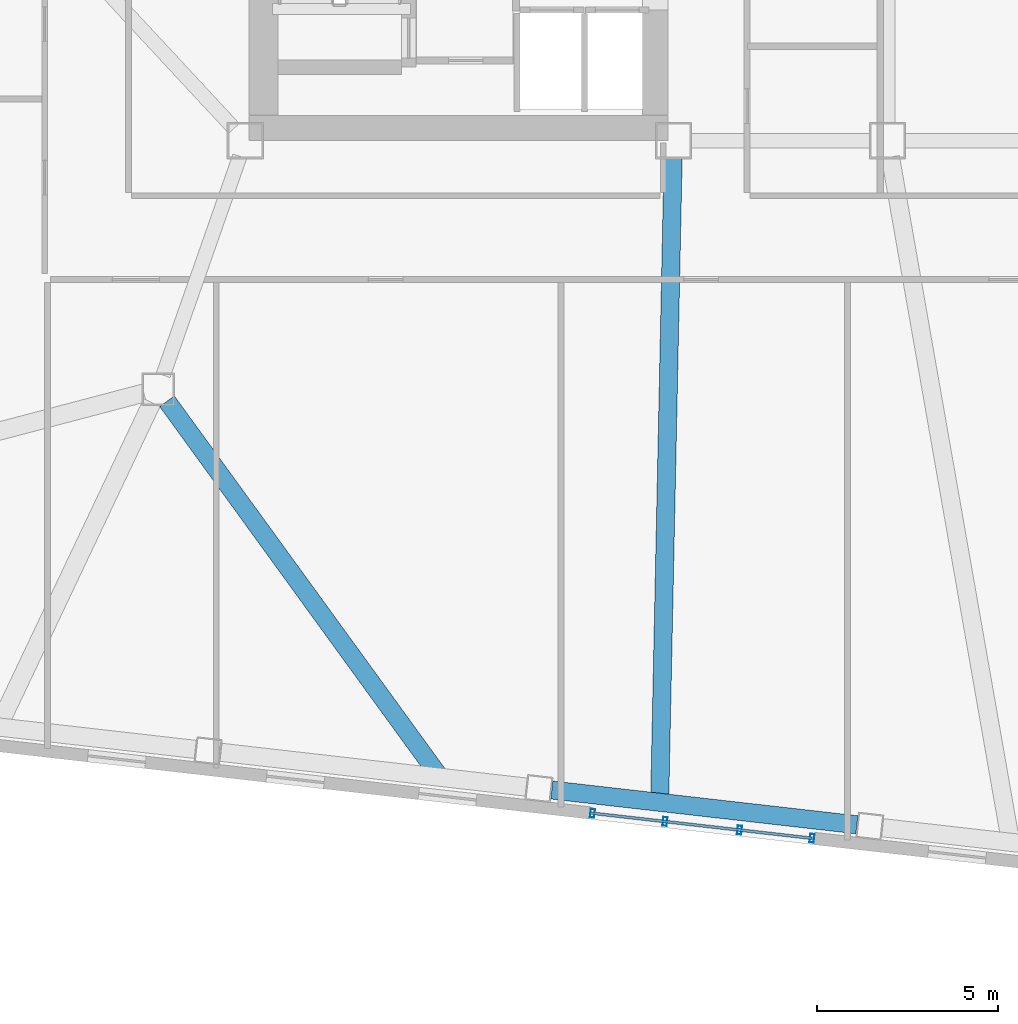
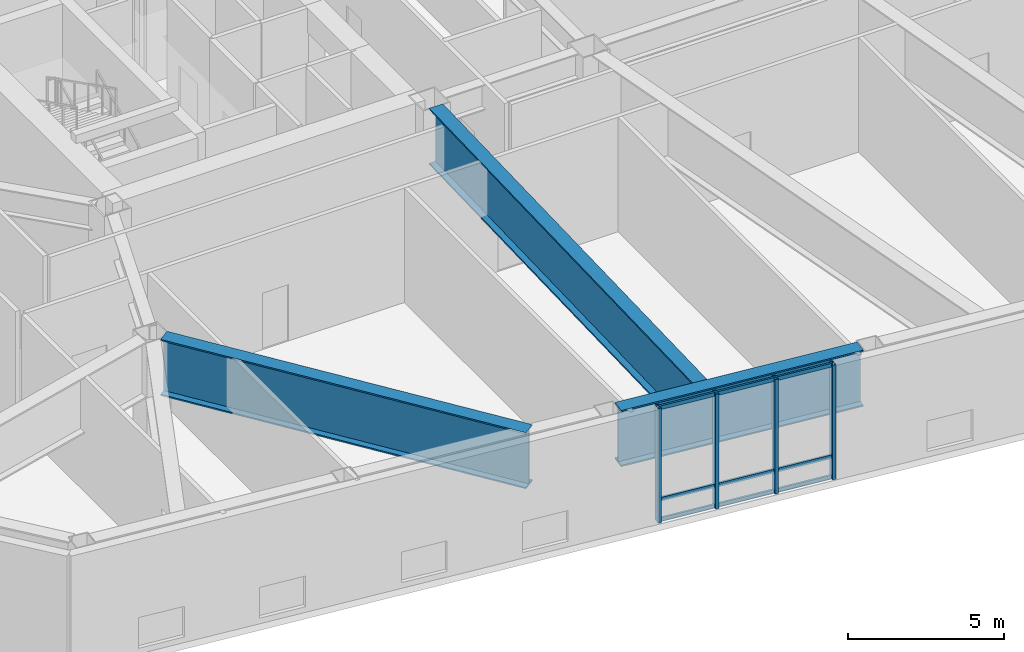
# One storey, part 2 of 19: 7 members, 3 beams, 1 element without a shape of its own.
"""IFC4 building model written with IfcOpenShell, lengths in metres."""

from ifc_helpers import new_model, si_unit, direction, frame, origin, origin_2d, place, context, subcontext, project, spatial, hollow_rectangle, i_section, extrude, material, layer, layer_set, material_profile, profile_set, type_object, element, aggregate, save


model = new_model("IFC4")

# Units and contexts
model_context = context("Model", 3, precision=1e-05, world=origin(), true_north=direction((0.0, 1.0)))
body_context = subcontext(model_context, "Body", "Model", "MODEL_VIEW")
ifc_project = project(units=[si_unit("LENGTHUNIT", "METRE"), si_unit("AREAUNIT", "SQUARE_METRE"), si_unit("VOLUMEUNIT", "CUBIC_METRE"), si_unit("PLANEANGLEUNIT", "RADIAN"), si_unit("MASSUNIT", "GRAM", prefix="KILO")], contexts=[model_context])

# Site, building, storey
site_placement = place(None, origin())
site = spatial("IfcSite", under=ifc_project, at=site_placement, CompositionType="ELEMENT")
building_placement = place(site_placement, origin())
building = spatial("IfcBuilding", under=site, at=building_placement, Name="Tavrogorsk Clinical Tower", CompositionType="ELEMENT")
storey_placement = place(building_placement, frame((0.0, 0.0, 141.39990234375)))
storey = spatial("IfcBuildingStorey", under=building, at=storey_placement, Name="L32", CompositionType="ELEMENT", Elevation=141.39990234375)

# Curtain wall, members
ifc_material_1 = material(Name="Anodised aluminium and triple IGU glazing", Category="aluminium")
ifc_layer = layer(ifc_material_1, 0.179931640625)
ifc_layer_set = layer_set([ifc_layer], Name="Anodised aluminium and triple IGU glazing")
curtain_wall_type = type_object("IfcCurtainWallType", Name="CW5_SkyLobby", PredefinedType="NOTDEFINED", material=ifc_layer_set)
curtain_wall_placement = place(storey_placement, origin())
curtain_wall = element("IfcCurtainWall", 1, at=curtain_wall_placement, inside=storey, type_object=curtain_wall_type, Name="L32 Curtain Wall CW-L32-S-CW5-1", PredefinedType="NOTDEFINED")
ifc_material_2 = material(Name="Anodised aluminium alloy AW-6060", Category="aluminium")
ifc_material_profile_1 = material_profile(ifc_material_2, hollow_rectangle(XDim=0.1201171875, YDim=0.239990234375, WallThickness=0.008056640625, at=origin_2d()), Name="RHS-240x120x8")
ifc_profile_set_1 = profile_set([ifc_material_profile_1], Name="Anodised aluminium alloy AW-6060")
member_type_1 = type_object("IfcMemberType", Name="CwMullion_240x120", PredefinedType="MULLION", material=ifc_profile_set_1)
member_1_placement = place(storey_placement, frame((-12.53076171875, -24.88818359375, 0.0), z_axis=(0.0, 0.0, 1.0), x_axis=(0.993571847378, -0.113203286601, 0.0)))
member_1 = element("IfcMember", 2, at=member_1_placement, type_object=member_type_1, Name="CW-L32-S-CW5-1 Mullion 1", PredefinedType="MULLION", context=body_context, shape_type="SweptSolid", body=[
    extrude(hollow_rectangle(XDim=0.1201171875, YDim=0.239990234375, WallThickness=0.008056640625, at=origin_2d()), origin(), (0.0, 0.0, 1.0), 4.47998046875),
])
member_2_placement = place(storey_placement, frame((-10.534423828125, -25.11572265625, 0.0), z_axis=(0.0, 0.0, 1.0), x_axis=(0.993571847378, -0.113203286601, 0.0)))
member_2 = element("IfcMember", 3, at=member_2_placement, type_object=member_type_1, Name="CW-L32-S-CW5-1 Mullion 2", PredefinedType="MULLION", context=body_context, shape_type="SweptSolid", body=[
    extrude(hollow_rectangle(XDim=0.1201171875, YDim=0.239990234375, WallThickness=0.008056640625, at=origin_2d()), origin(), (0.0, 0.0, 1.0), 4.47998046875),
])
member_3_placement = place(storey_placement, frame((-8.478271484375, -25.349853515625, 0.0), z_axis=(0.0, 0.0, 1.0), x_axis=(0.993571847378, -0.113203286601, 0.0)))
member_3 = element("IfcMember", 4, at=member_3_placement, type_object=member_type_1, Name="CW-L32-S-CW5-1 Mullion 3", PredefinedType="MULLION", context=body_context, shape_type="SweptSolid", body=[
    extrude(hollow_rectangle(XDim=0.1201171875, YDim=0.239990234375, WallThickness=0.008056640625, at=origin_2d()), origin(), (0.0, 0.0, 1.0), 4.47998046875),
])
member_4_placement = place(storey_placement, frame((-6.48193359375, -25.577392578125, 0.0), z_axis=(0.0, 0.0, 1.0), x_axis=(0.993571847378, -0.113203286601, 0.0)))
member_4 = element("IfcMember", 5, at=member_4_placement, type_object=member_type_1, Name="CW-L32-S-CW5-1 Mullion 4", PredefinedType="MULLION", context=body_context, shape_type="SweptSolid", body=[
    extrude(hollow_rectangle(XDim=0.1201171875, YDim=0.239990234375, WallThickness=0.008056640625, at=origin_2d()), origin(), (0.0, 0.0, 1.0), 4.47998046875),
])
ifc_material_3 = material(Name="Anodised aluminium alloy AW-6060", Category="aluminium")
ifc_material_profile_2 = material_profile(ifc_material_3, hollow_rectangle(XDim=0.074951171875, YDim=0.14990234375, WallThickness=0.0048828125, at=origin_2d()), Name="RHS-150x75x5")
ifc_profile_set_2 = profile_set([ifc_material_profile_2], Name="Anodised aluminium alloy AW-6060")
member_type_2 = type_object("IfcMemberType", Name="CwTransom_150x75", PredefinedType="USERDEFINED", material=ifc_profile_set_2)
member_5_placement = place(storey_placement, frame((-12.53076171875, -24.88818359375, 0.050048828125), z_axis=(0.993571263123, -0.113208414425, 0.0), x_axis=(0.113208414425, 0.993571263123, 0.0)))
member_5 = element("IfcMember", 6, at=member_5_placement, type_object=member_type_2, Name="CW-L32-S-CW5-1 Transom 1", ObjectType="TRANSOM", PredefinedType="USERDEFINED", context=body_context, shape_type="SweptSolid", body=[
    extrude(hollow_rectangle(XDim=0.074951171875, YDim=0.14990234375, WallThickness=0.0048828125, at=origin_2d()), origin(), (0.0, 0.0, 1.0), 6.087890625),
])
member_6_placement = place(storey_placement, frame((-12.53076171875, -24.88818359375, 0.85009765625), z_axis=(0.993571263123, -0.113208414425, 0.0), x_axis=(0.113208414425, 0.993571263123, 0.0)))
member_6 = element("IfcMember", 7, at=member_6_placement, type_object=member_type_2, Name="CW-L32-S-CW5-1 Transom 2", ObjectType="TRANSOM", PredefinedType="USERDEFINED", context=body_context, shape_type="SweptSolid", body=[
    extrude(hollow_rectangle(XDim=0.074951171875, YDim=0.14990234375, WallThickness=0.0048828125, at=origin_2d()), origin(), (0.0, 0.0, 1.0), 6.087890625),
])
member_7_placement = place(storey_placement, frame((-12.53076171875, -24.88818359375, 4.43017578125), z_axis=(0.993571263123, -0.113208414425, 0.0), x_axis=(0.113208414425, 0.993571263123, 0.0)))
member_7 = element("IfcMember", 8, at=member_7_placement, type_object=member_type_2, Name="CW-L32-S-CW5-1 Transom 3", ObjectType="TRANSOM", PredefinedType="USERDEFINED", context=body_context, shape_type="SweptSolid", body=[
    extrude(hollow_rectangle(XDim=0.074951171875, YDim=0.14990234375, WallThickness=0.0048828125, at=origin_2d()), origin(), (0.0, 0.0, 1.0), 6.087890625),
])
aggregate(curtain_wall, [member_1, member_2, member_3, member_4, member_5, member_6, member_7])

# Beams
ifc_material_4 = material(Name="Structural steel S440", Category="steel")
ifc_material_profile_3 = material_profile(ifc_material_4, i_section(OverallWidth=0.5, OverallDepth=2.199951171875, WebThickness=0.035888671875, FlangeThickness=0.054931640625, at=origin_2d()), Name="DK-2200x500x36x55")
ifc_profile_set_3 = profile_set([ifc_material_profile_3], Name="Structural steel S440")
beam_type = type_object("IfcBeamType", Name="TransferGirder_DK2200", PredefinedType="USERDEFINED", material=ifc_profile_set_3)
beam_1_placement = place(storey_placement, frame((-13.652099609375, -24.2470703125, 3.380126953125), z_axis=(0.993569449752, -0.113224328304, 0.0), x_axis=(0.113224328304, 0.993569449752, 0.0)))
element("IfcBeam", 9, at=beam_1_placement, inside=storey, type_object=beam_type, Name="L32 Perimeter Spandrel S3-S4", ObjectType="GIRDER", PredefinedType="USERDEFINED", context=body_context, shape_type="SweptSolid", body=[
    extrude(i_section(OverallWidth=0.5, OverallDepth=2.199951171875, WebThickness=0.035888671875, FlangeThickness=0.054931640625, at=origin_2d()), origin(), (0.0, 0.0, 1.0), 8.461181640625),
])
beam_2_placement = place(storey_placement, frame((-24.259033203125, -13.53173828125, 3.380126953125), z_axis=(0.58758334007, -0.809163653702, 0.0), x_axis=(0.809163653702, 0.58758334007, 0.0)))
element("IfcBeam", 10, at=beam_2_placement, inside=storey, type_object=beam_type, Name="L33 Block Transfer Girder S2", ObjectType="GIRDER", PredefinedType="USERDEFINED", context=body_context, shape_type="SweptSolid", body=[
    extrude(i_section(OverallWidth=0.5, OverallDepth=2.199951171875, WebThickness=0.035888671875, FlangeThickness=0.054931640625, at=origin_2d()), origin(), (0.0, 0.0, 1.0), 12.80859375),
])
beam_3_placement = place(storey_placement, frame((-10.3095703125, -6.809814453125, 3.380126953125), z_axis=(-0.020912881783, -0.999781301773, 0.0), x_axis=(0.999781301773, -0.020912881783, 0.0)))
element("IfcBeam", 11, at=beam_3_placement, inside=storey, type_object=beam_type, Name="L33 Block Transfer Girder S3", ObjectType="GIRDER", PredefinedType="USERDEFINED", context=body_context, shape_type="SweptSolid", body=[
    extrude(i_section(OverallWidth=0.5, OverallDepth=2.199951171875, WebThickness=0.035888671875, FlangeThickness=0.054931640625, at=origin_2d()), origin(), (0.0, 0.0, 1.0), 17.77978515625),
])

save(model, "model.ifc")
